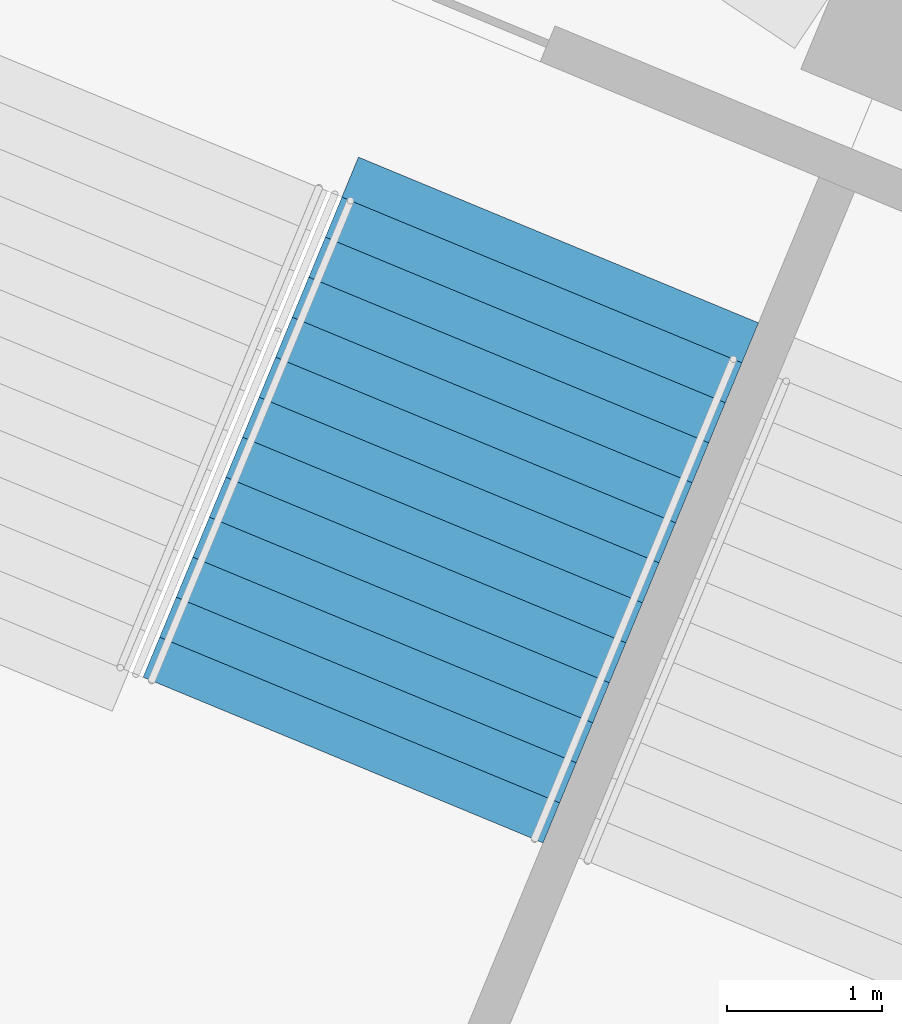
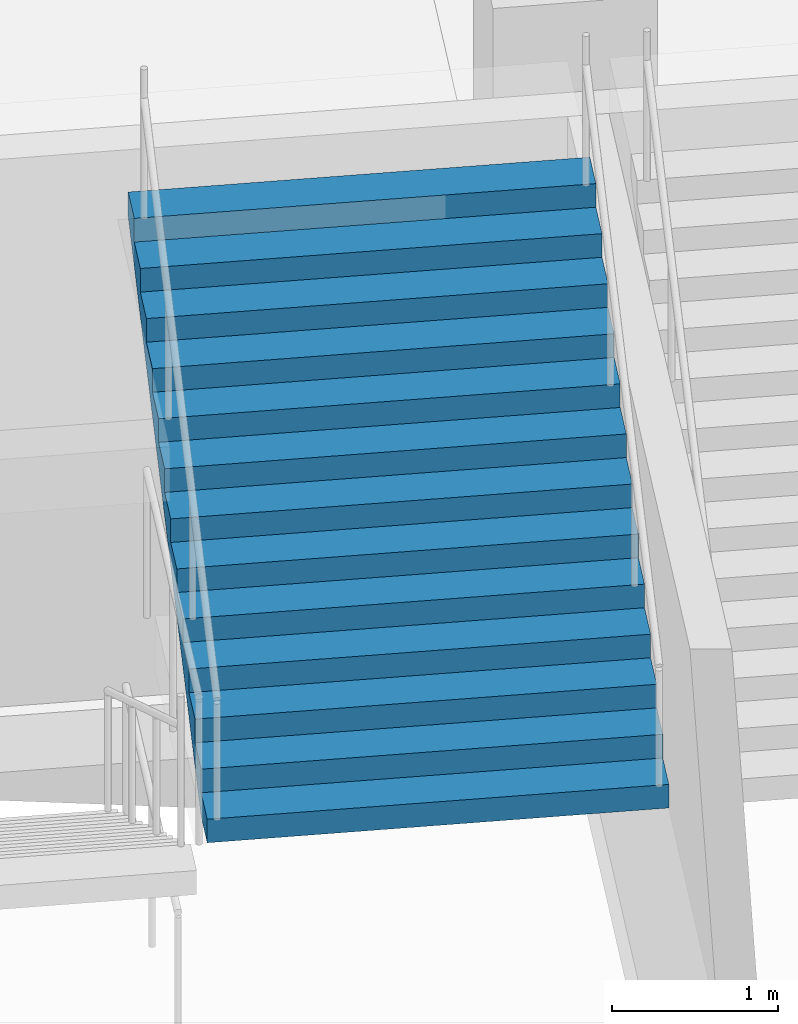
# One storey, part 110 of 199: 1 stair flight, 1 element without a shape of its own.
"""IFC4 building model written with IfcOpenShell, lengths in metres."""

import ifcopenshell
import ifcopenshell.guid

model = None  # the IFC model being written
_history = None  # IfcOwnerHistory: only IFC2X3 demands one
_inside = {}  # id of a spatial element -> (the spatial element, [elements in it])
_under = {}  # id of a project, library or spatial element -> (it, [spatial elements below it])
_declared = {}  # id of a project -> (the project, [libraries it declares])
_typed = {}  # id of a type object -> (the type object, [elements of that type])
_made_of = {}  # id of a material, layer set ... -> (it, [elements and type objects made of it])


def new_model(schema):
    """Start an empty IFC model of exactly this schema.

    Asked for "IFC4X3", IfcOpenShell would pick the latest addendum, in which some entities
    have other attributes; the version numbers below select the first issue.
    IFC2X3 requires an IfcOwnerHistory on every rooted entity: one is made here for all.
    """
    global model, _history
    if schema == "IFC4X3":
        model = ifcopenshell.file(schema_version=(4, 3, 0, 0))
    else:
        model = ifcopenshell.file(schema=schema)
    _inside.clear()
    _under.clear()
    _declared.clear()
    _typed.clear()
    _made_of.clear()
    _history = None
    if model.schema == "IFC2X3":
        org = make("IfcOrganization", Name="unknown")
        user = make(
            "IfcPersonAndOrganization",
            ThePerson=make("IfcPerson", FamilyName="unknown"),
            TheOrganization=org,
        )
        app = make(
            "IfcApplication",
            ApplicationDeveloper=org,
            Version="unknown",
            ApplicationFullName="unknown",
            ApplicationIdentifier="unknown",
        )
        _history = make(
            "IfcOwnerHistory",
            OwningUser=user,
            OwningApplication=app,
            ChangeAction="ADDED",
            CreationDate=0,
        )
    return model


def make(cls, **values):
    """One entity of the class cls with the attributes given. An attribute that is None is left unset."""
    return model.create_entity(
        cls, **{name: value for name, value in values.items() if value is not None}
    )


def rooted(cls, **values):
    """An entity with a GlobalId (a new one), such as an element, a storey or a relation."""
    return make(cls, GlobalId=ifcopenshell.guid.new(), OwnerHistory=_history, **values)


def si_unit(unit_type, name, prefix=None):
    """IfcSIUnit, for example si_unit("LENGTHUNIT", "METRE", prefix="MILLI")."""
    return make("IfcSIUnit", UnitType=unit_type, Prefix=prefix, Name=name)


def assignment(units):
    """IfcUnitAssignment: the units of a project."""
    return None if units is None else make("IfcUnitAssignment", Units=units)


def point(xyz):
    """IfcCartesianPoint."""
    return None if xyz is None else make("IfcCartesianPoint", Coordinates=xyz)


def direction(xyz):
    """IfcDirection."""
    return None if xyz is None else make("IfcDirection", DirectionRatios=xyz)


def frame(location, z_axis=None, x_axis=None):
    """IfcAxis2Placement3D, a coordinate frame: its origin and axes. An axis left out is left unset."""
    return make(
        "IfcAxis2Placement3D",
        Location=point(location),
        Axis=direction(z_axis),
        RefDirection=direction(x_axis),
    )


def origin():
    """The frame at (0, 0, 0) with its axes left unset."""
    return frame((0.0, 0.0, 0.0))


def place(relative_to, where):
    """IfcLocalPlacement: puts the frame where relative to a parent placement (None: the world)."""
    return make(
        "IfcLocalPlacement", PlacementRelTo=relative_to, RelativePlacement=where
    )


def context(
    kind, dimensions, precision=None, world=None, true_north=None, identifier=None
):
    """IfcGeometricRepresentationContext, for example the 3D "Model" context."""
    return make(
        "IfcGeometricRepresentationContext",
        ContextIdentifier=identifier,
        ContextType=kind,
        CoordinateSpaceDimension=dimensions,
        Precision=precision,
        WorldCoordinateSystem=world,
        TrueNorth=true_north,
    )


def subcontext(parent, identifier, kind, view, scale=None):
    """IfcGeometricRepresentationSubContext, for example "Body" below "Model"."""
    return make(
        "IfcGeometricRepresentationSubContext",
        ContextIdentifier=identifier,
        ContextType=kind,
        ParentContext=parent,
        TargetScale=scale,
        TargetView=view,
    )


def project(units=None, contexts=None):
    """IfcProject with its units and contexts."""
    return rooted(
        "IfcProject",
        Name="project",
        RepresentationContexts=contexts,
        UnitsInContext=assignment(units),
    )


def spatial(cls, under=None, at=None, **own):
    """A site, building, storey or space (cls), placed at a placement, below another one or the project."""
    s = rooted(cls, ObjectPlacement=at, **own)
    if under is not None:
        _under.setdefault(under.id(), (under, []))[1].append(s)
    return s


def faces_of(points, faces, orient=None, outer=None):
    """IfcFace entities. A face is a list of loops; a loop is a list of indices into points, from 0.

    orient and outer hold one flag for each loop. By default every Orientation is true, the
    first loop of a face is its IfcFaceOuterBound and the others are IfcFaceBound.
    """
    made = []
    for i, loops in enumerate(faces):
        bounds = []
        for j, loop in enumerate(loops):
            is_outer = j == 0 if outer is None else outer[i][j]
            bounds.append(
                make(
                    "IfcFaceOuterBound" if is_outer else "IfcFaceBound",
                    Bound=make("IfcPolyLoop", Polygon=[points[k] for k in loop]),
                    Orientation=True if orient is None else orient[i][j],
                )
            )
        made.append(make("IfcFace", Bounds=bounds))
    return made


def faceted_brep(points, faces, orient=None, outer=None, voids=None):
    """IfcFacetedBrep: a solid bounded by flat faces; with voids (closed shells), ...WithVoids."""
    shared = [point(p) for p in points]
    hull = make("IfcClosedShell", CfsFaces=faces_of(shared, faces, orient, outer))
    if voids is None:
        return make("IfcFacetedBrep", Outer=hull)
    return make(
        "IfcFacetedBrepWithVoids",
        Outer=hull,
        Voids=[
            make(cls, CfsFaces=faces_of(shared, fs, o, b)) for cls, fs, o, b in voids
        ],
    )


def shape(context_of_items, identifier, shape_type, items):
    """IfcShapeRepresentation: the items that make up one representation, for example the "Body"."""
    return make(
        "IfcShapeRepresentation",
        ContextOfItems=context_of_items,
        RepresentationIdentifier=identifier,
        RepresentationType=shape_type,
        Items=items,
    )


def material(Name=None, Category=None):
    """IfcMaterial."""
    return make("IfcMaterial", Name=Name, Category=Category)


def made_of(thing, what):
    """Note that an element or type object is made of a material, layer set ...; save() writes the relation."""
    if what is not None:
        _made_of.setdefault(what.id(), (what, []))[1].append(thing)
    return thing


def type_object(cls, material=None, **own):
    """A type object (cls), such as IfcWallType, which elements share."""
    return made_of(rooted(cls, **own), material)


def element(
    cls,
    number,
    at=None,
    inside=None,
    cuts=None,
    type_object=None,
    material=None,
    context=None,
    identifier="Body",
    shape_type=None,
    held_by="IfcProductDefinitionShape",
    body=None,
    shapes=None,
    **own,
):
    """One element of the class cls, such as IfcWall. Its Tag is "e" and its number.

    at: its placement. inside: the storey or other place that contains it. cuts: it is an
    opening in that element (IfcRelVoidsElement). A single representation is given by context,
    identifier, shape_type and body (its items); several are given by shapes. held_by: the class
    of the entity that holds the representations. save() writes the other relations.
    """
    e = rooted(cls, Tag="e%d" % number, ObjectPlacement=at, **own)
    if body is not None:
        shapes = [shape(context, identifier, shape_type, body)]
    if shapes is not None:
        e.Representation = make(held_by, Representations=shapes)
    if inside is not None:
        _inside.setdefault(inside.id(), (inside, []))[1].append(e)
    if cuts is not None:
        rooted(
            "IfcRelVoidsElement", RelatingBuildingElement=cuts, RelatedOpeningElement=e
        )
    if type_object is not None:
        _typed.setdefault(type_object.id(), (type_object, []))[1].append(e)
    return made_of(e, material)


def aggregate(whole, parts):
    """IfcRelAggregates: a whole, such as a stair, and the parts it consists of."""
    return rooted("IfcRelAggregates", RelatingObject=whole, RelatedObjects=parts)


def save(model, path):
    """Write the relations noted so far, then the file.

    IfcRelAggregates (storeys below a building ...), IfcRelContainedInSpatialStructure (elements
    in a storey), IfcRelDefinesByType, IfcRelAssociatesMaterial and IfcRelDeclares: one each for
    every whole, place, type object, material and project.
    """
    for whole, parts in _under.values():
        aggregate(whole, parts)
    for where, things in _inside.values():
        rooted(
            "IfcRelContainedInSpatialStructure",
            RelatedElements=things,
            RelatingStructure=where,
        )
    for kind, things in _typed.values():
        rooted("IfcRelDefinesByType", RelatedObjects=things, RelatingType=kind)
    for what, things in _made_of.values():
        rooted("IfcRelAssociatesMaterial", RelatedObjects=things, RelatingMaterial=what)
    for by, libraries in _declared.values():
        rooted("IfcRelDeclares", RelatingContext=by, RelatedDefinitions=libraries)
    model.write(path)


model = new_model("IFC4")

# Units and contexts
model_context = context("Model", 3, precision=1e-05, world=origin(), true_north=direction((0.0, 1.0)))
body_context = subcontext(model_context, "Body", "Model", "MODEL_VIEW")
ifc_project = project(units=[si_unit("LENGTHUNIT", "METRE"), si_unit("AREAUNIT", "SQUARE_METRE"), si_unit("VOLUMEUNIT", "CUBIC_METRE"), si_unit("PLANEANGLEUNIT", "RADIAN"), si_unit("MASSUNIT", "GRAM", prefix="KILO")], contexts=[model_context])

# Site, building, storey
site_placement = place(None, origin())
site = spatial("IfcSite", under=ifc_project, at=site_placement, CompositionType="ELEMENT")
building_placement = place(site_placement, origin())
building = spatial("IfcBuilding", under=site, at=building_placement, Name="Ogive Plaza Stadium", CompositionType="ELEMENT")
storey_placement = place(building_placement, frame((0.0, 0.0, 4.5)))
storey = spatial("IfcBuildingStorey", under=building, at=storey_placement, Name="L01", CompositionType="ELEMENT", Elevation=4.5)

# Stair, stair flight
ifc_material_1 = material(Name="Concrete C40/50", Category="concrete")
stair_type = type_object("IfcStairType", Name="Exit stair", PredefinedType="STRAIGHT_RUN_STAIR", material=ifc_material_1)
stair_placement = place(storey_placement, origin())
stair = element("IfcStair", 1, at=stair_placement, inside=storey, type_object=stair_type, Name="Exit stair ST18A L01 to L02", PredefinedType="STRAIGHT_RUN_STAIR")
ifc_material_2 = material(Name="Concrete C40/50", Category="concrete")
stair_flight_type = type_object("IfcStairFlightType", Name="Exit stair flight", PredefinedType="STRAIGHT", material=ifc_material_2)
stair_flight_placement = place(storey_placement, frame((-52.9013671875, -94.14697265625, 2.25), z_axis=(0.0, 0.0, 1.0), x_axis=(0.382683432365, 0.923879532511, 0.0)))
stair_flight = element("IfcStairFlight", 2, at=stair_flight_placement, type_object=stair_flight_type, Name="ST18A flight 2", NumberOfRisers=13, NumberOfTreads=12, PredefinedType="STRAIGHT", RiserHeight=0.173076923, TreadLength=0.28, context=body_context, shape_type="Brep", body=[
    faceted_brep([(0.28515625, -1.39990234375, 0.0), (3.639892578125, -1.39990234375, 2.07373046875), (3.639892578125, -1.39990234375, 2.25), (3.360107421875, -1.39990234375, 2.25), (3.360107421875, -1.39990234375, 2.076904296875), (3.080078125, -1.39990234375, 2.076904296875), (3.080078125, -1.39990234375, 1.90380859375), (2.800048828125, -1.39990234375, 1.90380859375), (2.800048828125, -1.39990234375, 1.730712890625), (2.52001953125, -1.39990234375, 1.730712890625), (2.52001953125, -1.39990234375, 1.5576171875), (2.239990234375, -1.39990234375, 1.5576171875), (2.239990234375, -1.39990234375, 1.384521484375), (1.9599609375, -1.39990234375, 1.384521484375), (1.9599609375, -1.39990234375, 1.21142578125), (1.679931640625, -1.39990234375, 1.21142578125), (1.679931640625, -1.39990234375, 1.03857421875), (1.39990234375, -1.39990234375, 1.03857421875), (1.39990234375, -1.39990234375, 0.865478515625), (1.1201171875, -1.39990234375, 0.865478515625), (1.1201171875, -1.39990234375, 0.6923828125), (0.840087890625, -1.39990234375, 0.6923828125), (0.840087890625, -1.39990234375, 0.519287109375), (0.56005859375, -1.39990234375, 0.519287109375), (0.56005859375, -1.39990234375, 0.34619140625), (0.280029296875, -1.39990234375, 0.34619140625), (0.280029296875, -1.39990234375, 0.173095703125), (0.0, -1.39990234375, 0.173095703125), (0.0, -1.39990234375, 0.0), (0.0, 1.39990234375, 0.0), (0.0, 1.39990234375, 0.173095703125), (0.280029296875, 1.39990234375, 0.173095703125), (0.280029296875, 1.39990234375, 0.34619140625), (0.56005859375, 1.39990234375, 0.34619140625), (0.56005859375, 1.39990234375, 0.519287109375), (0.840087890625, 1.39990234375, 0.519287109375), (0.840087890625, 1.39990234375, 0.6923828125), (1.1201171875, 1.39990234375, 0.6923828125), (1.1201171875, 1.39990234375, 0.865478515625), (1.39990234375, 1.39990234375, 0.865478515625), (1.39990234375, 1.39990234375, 1.03857421875), (1.679931640625, 1.39990234375, 1.03857421875), (1.679931640625, 1.39990234375, 1.21142578125), (1.9599609375, 1.39990234375, 1.21142578125), (1.9599609375, 1.39990234375, 1.384521484375), (2.239990234375, 1.39990234375, 1.384521484375), (2.239990234375, 1.39990234375, 1.5576171875), (2.52001953125, 1.39990234375, 1.5576171875), (2.52001953125, 1.39990234375, 1.730712890625), (2.800048828125, 1.39990234375, 1.730712890625), (2.800048828125, 1.39990234375, 1.90380859375), (3.080078125, 1.39990234375, 1.90380859375), (3.080078125, 1.39990234375, 2.076904296875), (3.360107421875, 1.39990234375, 2.076904296875), (3.360107421875, 1.39990234375, 2.25), (3.639892578125, 1.39990234375, 2.25), (3.639892578125, 1.39990234375, 2.07373046875), (0.28515625, 1.39990234375, 0.0), (0.28515625, -1.0888671875, 0.0), (3.639892578125, -1.0888671875, 2.07373046875), (0.28515625, -0.77783203125, 0.0), (3.639892578125, -0.77783203125, 2.07373046875), (0.28515625, -0.466796875, 0.0), (3.639892578125, -0.466796875, 2.07373046875), (0.28515625, -0.155517578125, 0.0), (3.639892578125, -0.155517578125, 2.07373046875), (0.28515625, 0.155517578125, 0.0), (3.639892578125, 0.155517578125, 2.07373046875), (0.28515625, 0.466796875, 0.0), (3.639892578125, 0.466796875, 2.07373046875), (0.28515625, 0.77783203125, 0.0), (3.639892578125, 0.77783203125, 2.07373046875), (0.28515625, 1.0888671875, 0.0), (3.639892578125, 1.0888671875, 2.07373046875), (3.639892578125, -1.0888671875, 2.25), (3.639892578125, -0.77783203125, 2.25), (3.639892578125, -0.466796875, 2.25), (3.639892578125, -0.155517578125, 2.25), (3.639892578125, 0.155517578125, 2.25), (3.639892578125, 0.466796875, 2.25), (3.639892578125, 0.77783203125, 2.25), (3.639892578125, 1.0888671875, 2.25), (3.360107421875, -1.0888671875, 2.25), (3.360107421875, -0.77783203125, 2.25), (3.360107421875, -0.466796875, 2.25), (3.360107421875, -0.155517578125, 2.25), (3.360107421875, 0.155517578125, 2.25), (3.360107421875, 0.466796875, 2.25), (3.360107421875, 0.77783203125, 2.25), (3.360107421875, 1.0888671875, 2.25), (3.360107421875, -1.0888671875, 2.076904296875), (3.360107421875, -0.77783203125, 2.076904296875), (3.360107421875, -0.466796875, 2.076904296875), (3.360107421875, -0.155517578125, 2.076904296875), (3.360107421875, 0.155517578125, 2.076904296875), (3.360107421875, 0.466796875, 2.076904296875), (3.360107421875, 0.77783203125, 2.076904296875), (3.360107421875, 1.0888671875, 2.076904296875), (3.080078125, -1.0888671875, 2.076904296875), (3.080078125, -0.77783203125, 2.076904296875), (3.080078125, -0.466796875, 2.076904296875), (3.080078125, -0.155517578125, 2.076904296875), (3.080078125, 0.155517578125, 2.076904296875), (3.080078125, 0.466796875, 2.076904296875), (3.080078125, 0.77783203125, 2.076904296875), (3.080078125, 1.0888671875, 2.076904296875), (3.080078125, -1.0888671875, 1.90380859375), (3.080078125, -0.77783203125, 1.90380859375), (3.080078125, -0.466796875, 1.90380859375), (3.080078125, -0.155517578125, 1.90380859375), (3.080078125, 0.155517578125, 1.90380859375), (3.080078125, 0.466796875, 1.90380859375), (3.080078125, 0.77783203125, 1.90380859375), (3.080078125, 1.0888671875, 1.90380859375), (2.800048828125, -1.0888671875, 1.90380859375), (2.800048828125, -0.77783203125, 1.90380859375), (2.800048828125, -0.466796875, 1.90380859375), (2.800048828125, -0.155517578125, 1.90380859375), (2.800048828125, 0.155517578125, 1.90380859375), (2.800048828125, 0.466796875, 1.90380859375), (2.800048828125, 0.77783203125, 1.90380859375), (2.800048828125, 1.0888671875, 1.90380859375), (2.800048828125, -1.0888671875, 1.730712890625), (2.800048828125, -0.77783203125, 1.730712890625), (2.800048828125, -0.466796875, 1.730712890625), (2.800048828125, -0.155517578125, 1.730712890625), (2.800048828125, 0.155517578125, 1.730712890625), (2.800048828125, 0.466796875, 1.730712890625), (2.800048828125, 0.77783203125, 1.730712890625), (2.800048828125, 1.0888671875, 1.730712890625), (2.52001953125, -1.0888671875, 1.730712890625), (2.52001953125, -0.77783203125, 1.730712890625), (2.52001953125, -0.466796875, 1.730712890625), (2.52001953125, -0.155517578125, 1.730712890625), (2.52001953125, 0.155517578125, 1.730712890625), (2.52001953125, 0.466796875, 1.730712890625), (2.52001953125, 0.77783203125, 1.730712890625), (2.52001953125, 1.0888671875, 1.730712890625), (2.52001953125, -1.0888671875, 1.5576171875), (2.52001953125, -0.77783203125, 1.5576171875), (2.52001953125, -0.466796875, 1.5576171875), (2.52001953125, -0.155517578125, 1.5576171875), (2.52001953125, 0.155517578125, 1.5576171875), (2.52001953125, 0.466796875, 1.5576171875), (2.52001953125, 0.77783203125, 1.5576171875), (2.52001953125, 1.0888671875, 1.5576171875), (2.239990234375, -1.0888671875, 1.5576171875), (2.239990234375, -0.77783203125, 1.5576171875), (2.239990234375, -0.466796875, 1.5576171875), (2.239990234375, -0.155517578125, 1.5576171875), (2.239990234375, 0.155517578125, 1.5576171875), (2.239990234375, 0.466796875, 1.5576171875), (2.239990234375, 0.77783203125, 1.5576171875), (2.239990234375, 1.0888671875, 1.5576171875), (2.239990234375, -1.0888671875, 1.384521484375), (2.239990234375, -0.77783203125, 1.384521484375), (2.239990234375, -0.466796875, 1.384521484375), (2.239990234375, -0.155517578125, 1.384521484375), (2.239990234375, 0.155517578125, 1.384521484375), (2.239990234375, 0.466796875, 1.384521484375), (2.239990234375, 0.77783203125, 1.384521484375), (2.239990234375, 1.0888671875, 1.384521484375), (1.9599609375, -1.0888671875, 1.384521484375), (1.9599609375, -0.77783203125, 1.384521484375), (1.9599609375, -0.466796875, 1.384521484375), (1.9599609375, -0.155517578125, 1.384521484375), (1.9599609375, 0.155517578125, 1.384521484375), (1.9599609375, 0.466796875, 1.384521484375), (1.9599609375, 0.77783203125, 1.384521484375), (1.9599609375, 1.0888671875, 1.384521484375), (1.9599609375, -1.0888671875, 1.21142578125), (1.9599609375, -0.77783203125, 1.21142578125), (1.9599609375, -0.466796875, 1.21142578125), (1.9599609375, -0.155517578125, 1.21142578125), (1.9599609375, 0.155517578125, 1.21142578125), (1.9599609375, 0.466796875, 1.21142578125), (1.9599609375, 0.77783203125, 1.21142578125), (1.9599609375, 1.0888671875, 1.21142578125), (1.679931640625, -1.0888671875, 1.21142578125), (1.679931640625, -0.77783203125, 1.21142578125), (1.679931640625, -0.466796875, 1.21142578125), (1.679931640625, -0.155517578125, 1.21142578125), (1.679931640625, 0.155517578125, 1.21142578125), (1.679931640625, 0.466796875, 1.21142578125), (1.679931640625, 0.77783203125, 1.21142578125), (1.679931640625, 1.0888671875, 1.21142578125), (1.679931640625, -1.0888671875, 1.03857421875), (1.679931640625, -0.77783203125, 1.03857421875), (1.679931640625, -0.466796875, 1.03857421875), (1.679931640625, -0.155517578125, 1.03857421875), (1.679931640625, 0.155517578125, 1.03857421875), (1.679931640625, 0.466796875, 1.03857421875), (1.679931640625, 0.77783203125, 1.03857421875), (1.679931640625, 1.0888671875, 1.03857421875), (1.39990234375, -1.0888671875, 1.03857421875), (1.39990234375, -0.77783203125, 1.03857421875), (1.39990234375, -0.466796875, 1.03857421875), (1.39990234375, -0.155517578125, 1.03857421875), (1.39990234375, 0.155517578125, 1.03857421875), (1.39990234375, 0.466796875, 1.03857421875), (1.39990234375, 0.77783203125, 1.03857421875), (1.39990234375, 1.0888671875, 1.03857421875), (1.39990234375, -1.0888671875, 0.865478515625), (1.39990234375, -0.77783203125, 0.865478515625), (1.39990234375, -0.466796875, 0.865478515625), (1.39990234375, -0.155517578125, 0.865478515625), (1.39990234375, 0.155517578125, 0.865478515625), (1.39990234375, 0.466796875, 0.865478515625), (1.39990234375, 0.77783203125, 0.865478515625), (1.39990234375, 1.0888671875, 0.865478515625), (1.1201171875, -1.0888671875, 0.865478515625), (1.1201171875, -0.77783203125, 0.865478515625), (1.1201171875, -0.466796875, 0.865478515625), (1.1201171875, -0.155517578125, 0.865478515625), (1.1201171875, 0.155517578125, 0.865478515625), (1.1201171875, 0.466796875, 0.865478515625), (1.1201171875, 0.77783203125, 0.865478515625), (1.1201171875, 1.0888671875, 0.865478515625), (1.1201171875, -1.0888671875, 0.6923828125), (1.1201171875, -0.77783203125, 0.6923828125), (1.1201171875, -0.466796875, 0.6923828125), (1.1201171875, -0.155517578125, 0.6923828125), (1.1201171875, 0.155517578125, 0.6923828125), (1.1201171875, 0.466796875, 0.6923828125), (1.1201171875, 0.77783203125, 0.6923828125), (1.1201171875, 1.0888671875, 0.6923828125), (0.840087890625, -1.0888671875, 0.6923828125), (0.840087890625, -0.77783203125, 0.6923828125), (0.840087890625, -0.466796875, 0.6923828125), (0.840087890625, -0.155517578125, 0.6923828125), (0.840087890625, 0.155517578125, 0.6923828125), (0.840087890625, 0.466796875, 0.6923828125), (0.840087890625, 0.77783203125, 0.6923828125), (0.840087890625, 1.0888671875, 0.6923828125), (0.840087890625, -1.0888671875, 0.519287109375), (0.840087890625, -0.77783203125, 0.519287109375), (0.840087890625, -0.466796875, 0.519287109375), (0.840087890625, -0.155517578125, 0.519287109375), (0.840087890625, 0.155517578125, 0.519287109375), (0.840087890625, 0.466796875, 0.519287109375), (0.840087890625, 0.77783203125, 0.519287109375), (0.840087890625, 1.0888671875, 0.519287109375), (0.56005859375, -1.0888671875, 0.519287109375), (0.56005859375, -0.77783203125, 0.519287109375), (0.56005859375, -0.466796875, 0.519287109375), (0.56005859375, -0.155517578125, 0.519287109375), (0.56005859375, 0.155517578125, 0.519287109375), (0.56005859375, 0.466796875, 0.519287109375), (0.56005859375, 0.77783203125, 0.519287109375), (0.56005859375, 1.0888671875, 0.519287109375), (0.56005859375, -1.0888671875, 0.34619140625), (0.56005859375, -0.77783203125, 0.34619140625), (0.56005859375, -0.466796875, 0.34619140625), (0.56005859375, -0.155517578125, 0.34619140625), (0.56005859375, 0.155517578125, 0.34619140625), (0.56005859375, 0.466796875, 0.34619140625), (0.56005859375, 0.77783203125, 0.34619140625), (0.56005859375, 1.0888671875, 0.34619140625), (0.280029296875, -1.0888671875, 0.34619140625), (0.280029296875, -0.77783203125, 0.34619140625), (0.280029296875, -0.466796875, 0.34619140625), (0.280029296875, -0.155517578125, 0.34619140625), (0.280029296875, 0.155517578125, 0.34619140625), (0.280029296875, 0.466796875, 0.34619140625), (0.280029296875, 0.77783203125, 0.34619140625), (0.280029296875, 1.0888671875, 0.34619140625), (0.280029296875, -1.0888671875, 0.173095703125), (0.280029296875, -0.77783203125, 0.173095703125), (0.280029296875, -0.466796875, 0.173095703125), (0.280029296875, -0.155517578125, 0.173095703125), (0.280029296875, 0.155517578125, 0.173095703125), (0.280029296875, 0.466796875, 0.173095703125), (0.280029296875, 0.77783203125, 0.173095703125), (0.280029296875, 1.0888671875, 0.173095703125), (0.0, -1.0888671875, 0.173095703125), (0.0, -0.77783203125, 0.173095703125), (0.0, -0.466796875, 0.173095703125), (0.0, -0.155517578125, 0.173095703125), (0.0, 0.155517578125, 0.173095703125), (0.0, 0.466796875, 0.173095703125), (0.0, 0.77783203125, 0.173095703125), (0.0, 1.0888671875, 0.173095703125), (0.0, -1.0888671875, 0.0), (0.0, -0.77783203125, 0.0), (0.0, -0.466796875, 0.0), (0.0, -0.155517578125, 0.0), (0.0, 0.155517578125, 0.0), (0.0, 0.466796875, 0.0), (0.0, 0.77783203125, 0.0), (0.0, 1.0888671875, 0.0)], [[[0, 1, 2, 3, 4, 5, 6, 7, 8, 9, 10, 11, 12, 13, 14, 15, 16, 17, 18, 19, 20, 21, 22, 23, 24, 25, 26, 27, 28]], [[29, 30, 31, 32, 33, 34, 35, 36, 37, 38, 39, 40, 41, 42, 43, 44, 45, 46, 47, 48, 49, 50, 51, 52, 53, 54, 55, 56, 57]], [[0, 58, 59, 1]], [[58, 60, 61, 59]], [[60, 62, 63, 61]], [[62, 64, 65, 63]], [[64, 66, 67, 65]], [[66, 68, 69, 67]], [[68, 70, 71, 69]], [[70, 72, 73, 71]], [[72, 57, 56, 73]], [[1, 59, 74, 2]], [[59, 61, 75, 74]], [[61, 63, 76, 75]], [[63, 65, 77, 76]], [[65, 67, 78, 77]], [[67, 69, 79, 78]], [[69, 71, 80, 79]], [[71, 73, 81, 80]], [[73, 56, 55, 81]], [[2, 74, 82, 3]], [[74, 75, 83, 82]], [[75, 76, 84, 83]], [[76, 77, 85, 84]], [[77, 78, 86, 85]], [[78, 79, 87, 86]], [[79, 80, 88, 87]], [[80, 81, 89, 88]], [[81, 55, 54, 89]], [[3, 82, 90, 4]], [[82, 83, 91, 90]], [[83, 84, 92, 91]], [[84, 85, 93, 92]], [[85, 86, 94, 93]], [[86, 87, 95, 94]], [[87, 88, 96, 95]], [[88, 89, 97, 96]], [[89, 54, 53, 97]], [[4, 90, 98, 5]], [[90, 91, 99, 98]], [[91, 92, 100, 99]], [[92, 93, 101, 100]], [[93, 94, 102, 101]], [[94, 95, 103, 102]], [[95, 96, 104, 103]], [[96, 97, 105, 104]], [[97, 53, 52, 105]], [[5, 98, 106, 6]], [[98, 99, 107, 106]], [[99, 100, 108, 107]], [[100, 101, 109, 108]], [[101, 102, 110, 109]], [[102, 103, 111, 110]], [[103, 104, 112, 111]], [[104, 105, 113, 112]], [[105, 52, 51, 113]], [[6, 106, 114, 7]], [[106, 107, 115, 114]], [[107, 108, 116, 115]], [[108, 109, 117, 116]], [[109, 110, 118, 117]], [[110, 111, 119, 118]], [[111, 112, 120, 119]], [[112, 113, 121, 120]], [[113, 51, 50, 121]], [[7, 114, 122, 8]], [[114, 115, 123, 122]], [[115, 116, 124, 123]], [[116, 117, 125, 124]], [[117, 118, 126, 125]], [[118, 119, 127, 126]], [[119, 120, 128, 127]], [[120, 121, 129, 128]], [[121, 50, 49, 129]], [[8, 122, 130, 9]], [[122, 123, 131, 130]], [[123, 124, 132, 131]], [[124, 125, 133, 132]], [[125, 126, 134, 133]], [[126, 127, 135, 134]], [[127, 128, 136, 135]], [[128, 129, 137, 136]], [[129, 49, 48, 137]], [[9, 130, 138, 10]], [[130, 131, 139, 138]], [[131, 132, 140, 139]], [[132, 133, 141, 140]], [[133, 134, 142, 141]], [[134, 135, 143, 142]], [[135, 136, 144, 143]], [[136, 137, 145, 144]], [[137, 48, 47, 145]], [[10, 138, 146, 11]], [[138, 139, 147, 146]], [[139, 140, 148, 147]], [[140, 141, 149, 148]], [[141, 142, 150, 149]], [[142, 143, 151, 150]], [[143, 144, 152, 151]], [[144, 145, 153, 152]], [[145, 47, 46, 153]], [[11, 146, 154, 12]], [[146, 147, 155, 154]], [[147, 148, 156, 155]], [[148, 149, 157, 156]], [[149, 150, 158, 157]], [[150, 151, 159, 158]], [[151, 152, 160, 159]], [[152, 153, 161, 160]], [[153, 46, 45, 161]], [[12, 154, 162, 13]], [[154, 155, 163, 162]], [[155, 156, 164, 163]], [[156, 157, 165, 164]], [[157, 158, 166, 165]], [[158, 159, 167, 166]], [[159, 160, 168, 167]], [[160, 161, 169, 168]], [[161, 45, 44, 169]], [[13, 162, 170, 14]], [[162, 163, 171, 170]], [[163, 164, 172, 171]], [[164, 165, 173, 172]], [[165, 166, 174, 173]], [[166, 167, 175, 174]], [[167, 168, 176, 175]], [[168, 169, 177, 176]], [[169, 44, 43, 177]], [[14, 170, 178, 15]], [[170, 171, 179, 178]], [[171, 172, 180, 179]], [[172, 173, 181, 180]], [[173, 174, 182, 181]], [[174, 175, 183, 182]], [[175, 176, 184, 183]], [[176, 177, 185, 184]], [[177, 43, 42, 185]], [[15, 178, 186, 16]], [[178, 179, 187, 186]], [[179, 180, 188, 187]], [[180, 181, 189, 188]], [[181, 182, 190, 189]], [[182, 183, 191, 190]], [[183, 184, 192, 191]], [[184, 185, 193, 192]], [[185, 42, 41, 193]], [[16, 186, 194, 17]], [[186, 187, 195, 194]], [[187, 188, 196, 195]], [[188, 189, 197, 196]], [[189, 190, 198, 197]], [[190, 191, 199, 198]], [[191, 192, 200, 199]], [[192, 193, 201, 200]], [[193, 41, 40, 201]], [[17, 194, 202, 18]], [[194, 195, 203, 202]], [[195, 196, 204, 203]], [[196, 197, 205, 204]], [[197, 198, 206, 205]], [[198, 199, 207, 206]], [[199, 200, 208, 207]], [[200, 201, 209, 208]], [[201, 40, 39, 209]], [[18, 202, 210, 19]], [[202, 203, 211, 210]], [[203, 204, 212, 211]], [[204, 205, 213, 212]], [[205, 206, 214, 213]], [[206, 207, 215, 214]], [[207, 208, 216, 215]], [[208, 209, 217, 216]], [[209, 39, 38, 217]], [[19, 210, 218, 20]], [[210, 211, 219, 218]], [[211, 212, 220, 219]], [[212, 213, 221, 220]], [[213, 214, 222, 221]], [[214, 215, 223, 222]], [[215, 216, 224, 223]], [[216, 217, 225, 224]], [[217, 38, 37, 225]], [[20, 218, 226, 21]], [[218, 219, 227, 226]], [[219, 220, 228, 227]], [[220, 221, 229, 228]], [[221, 222, 230, 229]], [[222, 223, 231, 230]], [[223, 224, 232, 231]], [[224, 225, 233, 232]], [[225, 37, 36, 233]], [[21, 226, 234, 22]], [[226, 227, 235, 234]], [[227, 228, 236, 235]], [[228, 229, 237, 236]], [[229, 230, 238, 237]], [[230, 231, 239, 238]], [[231, 232, 240, 239]], [[232, 233, 241, 240]], [[233, 36, 35, 241]], [[22, 234, 242, 23]], [[234, 235, 243, 242]], [[235, 236, 244, 243]], [[236, 237, 245, 244]], [[237, 238, 246, 245]], [[238, 239, 247, 246]], [[239, 240, 248, 247]], [[240, 241, 249, 248]], [[241, 35, 34, 249]], [[23, 242, 250, 24]], [[242, 243, 251, 250]], [[243, 244, 252, 251]], [[244, 245, 253, 252]], [[245, 246, 254, 253]], [[246, 247, 255, 254]], [[247, 248, 256, 255]], [[248, 249, 257, 256]], [[249, 34, 33, 257]], [[24, 250, 258, 25]], [[250, 251, 259, 258]], [[251, 252, 260, 259]], [[252, 253, 261, 260]], [[253, 254, 262, 261]], [[254, 255, 263, 262]], [[255, 256, 264, 263]], [[256, 257, 265, 264]], [[257, 33, 32, 265]], [[25, 258, 266, 26]], [[258, 259, 267, 266]], [[259, 260, 268, 267]], [[260, 261, 269, 268]], [[261, 262, 270, 269]], [[262, 263, 271, 270]], [[263, 264, 272, 271]], [[264, 265, 273, 272]], [[265, 32, 31, 273]], [[26, 266, 274, 27]], [[266, 267, 275, 274]], [[267, 268, 276, 275]], [[268, 269, 277, 276]], [[269, 270, 278, 277]], [[270, 271, 279, 278]], [[271, 272, 280, 279]], [[272, 273, 281, 280]], [[273, 31, 30, 281]], [[27, 274, 282, 28]], [[274, 275, 283, 282]], [[275, 276, 284, 283]], [[276, 277, 285, 284]], [[277, 278, 286, 285]], [[278, 279, 287, 286]], [[279, 280, 288, 287]], [[280, 281, 289, 288]], [[281, 30, 29, 289]], [[28, 282, 58, 0]], [[282, 283, 60, 58]], [[283, 284, 62, 60]], [[284, 285, 64, 62]], [[285, 286, 66, 64]], [[286, 287, 68, 66]], [[287, 288, 70, 68]], [[288, 289, 72, 70]], [[289, 29, 57, 72]]]),
])
aggregate(stair, [stair_flight])

save(model, "model.ifc")
